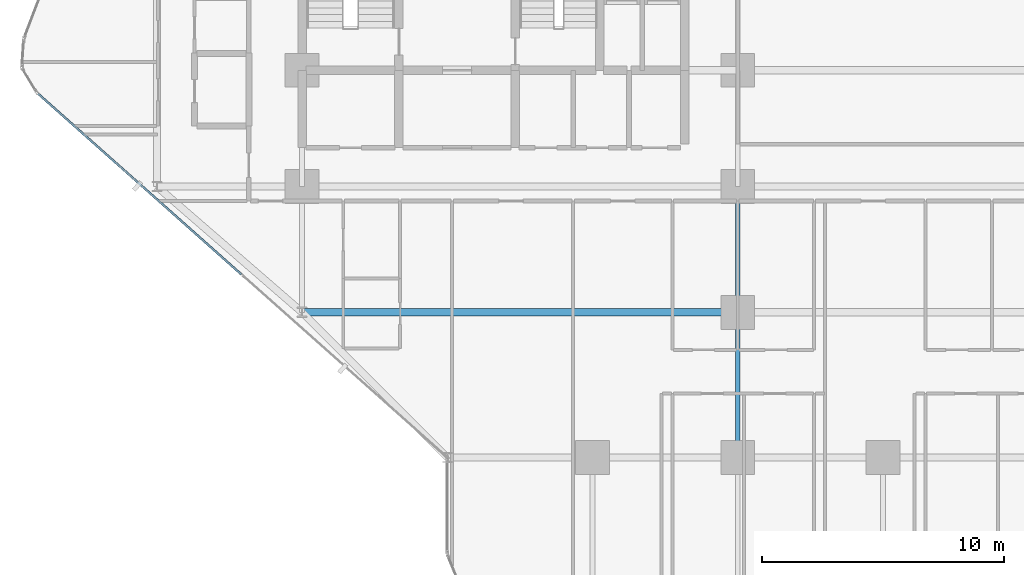
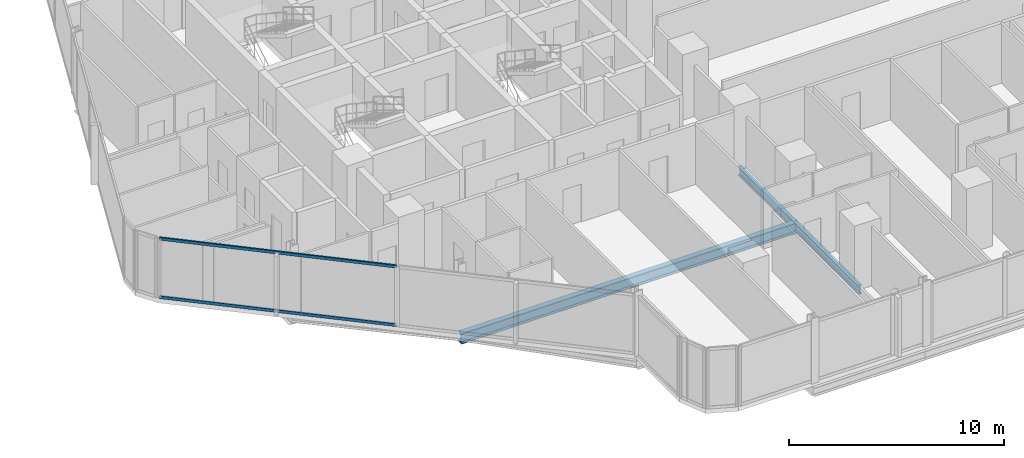
# One storey, part 4 of 34: 3 beams, 2 members, 1 element without a shape of its own.
"""IFC4 building model written with IfcOpenShell, lengths in metres."""

import ifcopenshell
import ifcopenshell.guid

model = None  # the IFC model being written
_history = None  # IfcOwnerHistory: only IFC2X3 demands one
_inside = {}  # id of a spatial element -> (the spatial element, [elements in it])
_under = {}  # id of a project, library or spatial element -> (it, [spatial elements below it])
_declared = {}  # id of a project -> (the project, [libraries it declares])
_typed = {}  # id of a type object -> (the type object, [elements of that type])
_made_of = {}  # id of a material, layer set ... -> (it, [elements and type objects made of it])


def new_model(schema):
    """Start an empty IFC model of exactly this schema.

    Asked for "IFC4X3", IfcOpenShell would pick the latest addendum, in which some entities
    have other attributes; the version numbers below select the first issue.
    IFC2X3 requires an IfcOwnerHistory on every rooted entity: one is made here for all.
    """
    global model, _history
    if schema == "IFC4X3":
        model = ifcopenshell.file(schema_version=(4, 3, 0, 0))
    else:
        model = ifcopenshell.file(schema=schema)
    _inside.clear()
    _under.clear()
    _declared.clear()
    _typed.clear()
    _made_of.clear()
    _history = None
    if model.schema == "IFC2X3":
        org = make("IfcOrganization", Name="unknown")
        user = make(
            "IfcPersonAndOrganization",
            ThePerson=make("IfcPerson", FamilyName="unknown"),
            TheOrganization=org,
        )
        app = make(
            "IfcApplication",
            ApplicationDeveloper=org,
            Version="unknown",
            ApplicationFullName="unknown",
            ApplicationIdentifier="unknown",
        )
        _history = make(
            "IfcOwnerHistory",
            OwningUser=user,
            OwningApplication=app,
            ChangeAction="ADDED",
            CreationDate=0,
        )
    return model


def make(cls, **values):
    """One entity of the class cls with the attributes given. An attribute that is None is left unset."""
    return model.create_entity(
        cls, **{name: value for name, value in values.items() if value is not None}
    )


def rooted(cls, **values):
    """An entity with a GlobalId (a new one), such as an element, a storey or a relation."""
    return make(cls, GlobalId=ifcopenshell.guid.new(), OwnerHistory=_history, **values)


def si_unit(unit_type, name, prefix=None):
    """IfcSIUnit, for example si_unit("LENGTHUNIT", "METRE", prefix="MILLI")."""
    return make("IfcSIUnit", UnitType=unit_type, Prefix=prefix, Name=name)


def assignment(units):
    """IfcUnitAssignment: the units of a project."""
    return None if units is None else make("IfcUnitAssignment", Units=units)


def point(xyz):
    """IfcCartesianPoint."""
    return None if xyz is None else make("IfcCartesianPoint", Coordinates=xyz)


def direction(xyz):
    """IfcDirection."""
    return None if xyz is None else make("IfcDirection", DirectionRatios=xyz)


def frame(location, z_axis=None, x_axis=None):
    """IfcAxis2Placement3D, a coordinate frame: its origin and axes. An axis left out is left unset."""
    return make(
        "IfcAxis2Placement3D",
        Location=point(location),
        Axis=direction(z_axis),
        RefDirection=direction(x_axis),
    )


def frame_2d(location, x_axis=None):
    """IfcAxis2Placement2D, a coordinate frame in the plane: its origin and x axis."""
    return make(
        "IfcAxis2Placement2D", Location=point(location), RefDirection=direction(x_axis)
    )


def origin():
    """The frame at (0, 0, 0) with its axes left unset."""
    return frame((0.0, 0.0, 0.0))


def origin_2d():
    """The frame at (0, 0) in the plane with its x axis left unset."""
    return frame_2d((0.0, 0.0))


def place(relative_to, where):
    """IfcLocalPlacement: puts the frame where relative to a parent placement (None: the world)."""
    return make(
        "IfcLocalPlacement", PlacementRelTo=relative_to, RelativePlacement=where
    )


def context(
    kind, dimensions, precision=None, world=None, true_north=None, identifier=None
):
    """IfcGeometricRepresentationContext, for example the 3D "Model" context."""
    return make(
        "IfcGeometricRepresentationContext",
        ContextIdentifier=identifier,
        ContextType=kind,
        CoordinateSpaceDimension=dimensions,
        Precision=precision,
        WorldCoordinateSystem=world,
        TrueNorth=true_north,
    )


def subcontext(parent, identifier, kind, view, scale=None):
    """IfcGeometricRepresentationSubContext, for example "Body" below "Model"."""
    return make(
        "IfcGeometricRepresentationSubContext",
        ContextIdentifier=identifier,
        ContextType=kind,
        ParentContext=parent,
        TargetScale=scale,
        TargetView=view,
    )


def project(units=None, contexts=None):
    """IfcProject with its units and contexts."""
    return rooted(
        "IfcProject",
        Name="project",
        RepresentationContexts=contexts,
        UnitsInContext=assignment(units),
    )


def spatial(cls, under=None, at=None, **own):
    """A site, building, storey or space (cls), placed at a placement, below another one or the project."""
    s = rooted(cls, ObjectPlacement=at, **own)
    if under is not None:
        _under.setdefault(under.id(), (under, []))[1].append(s)
    return s


def profile(cls, at=None, kind="AREA", **sizes):
    """A parametric profile (cls). Its sizes go by their IFC names, for example OverallWidth=200.0."""
    return make(cls, ProfileType=kind, Position=at, **sizes)


def hollow_rectangle(**sizes):
    """IfcRectangleHollowProfileDef."""
    return profile("IfcRectangleHollowProfileDef", **sizes)


def i_section(**sizes):
    """IfcIShapeProfileDef."""
    return profile("IfcIShapeProfileDef", **sizes)


def extrude(swept, where, along, depth):
    """IfcExtrudedAreaSolid: the profile swept, set in the frame where, extruded along a direction by depth."""
    return make(
        "IfcExtrudedAreaSolid",
        SweptArea=swept,
        Position=where,
        ExtrudedDirection=direction(along),
        Depth=depth,
    )


def shape(context_of_items, identifier, shape_type, items):
    """IfcShapeRepresentation: the items that make up one representation, for example the "Body"."""
    return make(
        "IfcShapeRepresentation",
        ContextOfItems=context_of_items,
        RepresentationIdentifier=identifier,
        RepresentationType=shape_type,
        Items=items,
    )


def material(Name=None, Category=None):
    """IfcMaterial."""
    return make("IfcMaterial", Name=Name, Category=Category)


def layer(
    of_material, thickness, ventilated=None, Name=None, Category=None, Priority=None
):
    """IfcMaterialLayer: one layer of a wall or slab, of a material (None: an air gap)."""
    return make(
        "IfcMaterialLayer",
        Material=of_material,
        LayerThickness=thickness,
        IsVentilated=ventilated,
        Name=Name,
        Category=Category,
        Priority=Priority,
    )


def layer_set(layers, Name=None):
    """IfcMaterialLayerSet."""
    return make("IfcMaterialLayerSet", MaterialLayers=layers, LayerSetName=Name)


def material_profile(
    of_material, cross_section, Name=None, Category=None, Priority=None
):
    """IfcMaterialProfile: a cross section and its material."""
    return make(
        "IfcMaterialProfile",
        Name=Name,
        Material=of_material,
        Profile=cross_section,
        Priority=Priority,
        Category=Category,
    )


def profile_set(profiles, Name=None, composite=None):
    """IfcMaterialProfileSet."""
    return make(
        "IfcMaterialProfileSet",
        Name=Name,
        MaterialProfiles=profiles,
        CompositeProfile=composite,
    )


def made_of(thing, what):
    """Note that an element or type object is made of a material, layer set ...; save() writes the relation."""
    if what is not None:
        _made_of.setdefault(what.id(), (what, []))[1].append(thing)
    return thing


def type_object(cls, material=None, **own):
    """A type object (cls), such as IfcWallType, which elements share."""
    return made_of(rooted(cls, **own), material)


def element(
    cls,
    number,
    at=None,
    inside=None,
    cuts=None,
    type_object=None,
    material=None,
    context=None,
    identifier="Body",
    shape_type=None,
    held_by="IfcProductDefinitionShape",
    body=None,
    shapes=None,
    **own,
):
    """One element of the class cls, such as IfcWall. Its Tag is "e" and its number.

    at: its placement. inside: the storey or other place that contains it. cuts: it is an
    opening in that element (IfcRelVoidsElement). A single representation is given by context,
    identifier, shape_type and body (its items); several are given by shapes. held_by: the class
    of the entity that holds the representations. save() writes the other relations.
    """
    e = rooted(cls, Tag="e%d" % number, ObjectPlacement=at, **own)
    if body is not None:
        shapes = [shape(context, identifier, shape_type, body)]
    if shapes is not None:
        e.Representation = make(held_by, Representations=shapes)
    if inside is not None:
        _inside.setdefault(inside.id(), (inside, []))[1].append(e)
    if cuts is not None:
        rooted(
            "IfcRelVoidsElement", RelatingBuildingElement=cuts, RelatedOpeningElement=e
        )
    if type_object is not None:
        _typed.setdefault(type_object.id(), (type_object, []))[1].append(e)
    return made_of(e, material)


def aggregate(whole, parts):
    """IfcRelAggregates: a whole, such as a stair, and the parts it consists of."""
    return rooted("IfcRelAggregates", RelatingObject=whole, RelatedObjects=parts)


def save(model, path):
    """Write the relations noted so far, then the file.

    IfcRelAggregates (storeys below a building ...), IfcRelContainedInSpatialStructure (elements
    in a storey), IfcRelDefinesByType, IfcRelAssociatesMaterial and IfcRelDeclares: one each for
    every whole, place, type object, material and project.
    """
    for whole, parts in _under.values():
        aggregate(whole, parts)
    for where, things in _inside.values():
        rooted(
            "IfcRelContainedInSpatialStructure",
            RelatedElements=things,
            RelatingStructure=where,
        )
    for kind, things in _typed.values():
        rooted("IfcRelDefinesByType", RelatedObjects=things, RelatingType=kind)
    for what, things in _made_of.values():
        rooted("IfcRelAssociatesMaterial", RelatedObjects=things, RelatingMaterial=what)
    for by, libraries in _declared.values():
        rooted("IfcRelDeclares", RelatingContext=by, RelatedDefinitions=libraries)
    model.write(path)


model = new_model("IFC4")

# Units and contexts
model_context = context("Model", 3, precision=1e-05, world=origin(), true_north=direction((0.0, 1.0)))
body_context = subcontext(model_context, "Body", "Model", "MODEL_VIEW")
ifc_project = project(units=[si_unit("LENGTHUNIT", "METRE"), si_unit("AREAUNIT", "SQUARE_METRE"), si_unit("VOLUMEUNIT", "CUBIC_METRE"), si_unit("PLANEANGLEUNIT", "RADIAN"), si_unit("MASSUNIT", "GRAM", prefix="KILO")], contexts=[model_context])

# Site, building, storey
site_placement = place(None, origin())
site = spatial("IfcSite", under=ifc_project, at=site_placement, CompositionType="ELEMENT")
building_placement = place(site_placement, origin())
building = spatial("IfcBuilding", under=site, at=building_placement, Name="Keshet Zoharim Tower", CompositionType="ELEMENT")
storey_placement = place(building_placement, frame((0.0, 0.0, 38.800048828125)))
storey = spatial("IfcBuildingStorey", under=building, at=storey_placement, Name="L08", CompositionType="ELEMENT", Elevation=38.800048828125)

# Beams
ifc_material_1 = material(Name="Steel S355", Category="steel")
ifc_material_profile_1 = material_profile(ifc_material_1, i_section(OverallWidth=0.300048828125, OverallDepth=0.60009765625, WebThickness=0.015380859375, FlangeThickness=0.030029296875, FilletRadius=0.027099609375, at=origin_2d()), Name="HEB600")
ifc_profile_set_1 = profile_set([ifc_material_profile_1], Name="Steel S355")
beam_type_1 = type_object("IfcBeamType", Name="BM-LNG-HB600", PredefinedType="BEAM", material=ifc_profile_set_1)
beam_1_placement = place(storey_placement, frame((15.0, 12.699951171875, -0.614990234375), z_axis=(1.0, 0.0, 0.0), x_axis=(0.0, 1.0, 0.0)))
element("IfcBeam", 1, at=beam_1_placement, inside=storey, type_object=beam_type_1, Name="L08 Primary Girder X-011", PredefinedType="BEAM", context=body_context, shape_type="SweptSolid", body=[
    extrude(i_section(OverallWidth=0.300048828125, OverallDepth=0.60009765625, WebThickness=0.015380859375, FlangeThickness=0.030029296875, FilletRadius=0.027099609375, at=origin_2d()), origin(), (0.0, 0.0, 1.0), 18.0),
])
ifc_material_profile_2 = material_profile(ifc_material_1, i_section(OverallWidth=0.199951171875, OverallDepth=0.5, WebThickness=0.01025390625, FlangeThickness=0.01611328125, FilletRadius=0.02099609375, at=origin_2d()), Name="IPE500")
ifc_profile_set_2 = profile_set([ifc_material_profile_2], Name="Steel S355")
beam_type_2 = type_object("IfcBeamType", Name="BM-PRI-IP500", PredefinedType="BEAM", material=ifc_profile_set_2)
beam_2_placement = place(storey_placement, frame((33.0, 6.699951171875, -0.56494140625), z_axis=(0.0, 1.0, 0.0), x_axis=(-1.0, 0.0, 0.0)))
element("IfcBeam", 2, at=beam_2_placement, inside=storey, type_object=beam_type_2, Name="L08 Primary Girder Y-006", PredefinedType="BEAM", context=body_context, shape_type="SweptSolid", body=[
    extrude(i_section(OverallWidth=0.199951171875, OverallDepth=0.5, WebThickness=0.01025390625, FlangeThickness=0.01611328125, FilletRadius=0.02099609375, at=origin_2d()), origin(), (0.0, 0.0, 1.0), 6.0),
])
beam_3_placement = place(storey_placement, frame((33.0, 12.699951171875, -0.56494140625), z_axis=(0.0, 1.0, 0.0), x_axis=(-1.0, 0.0, 0.0)))
element("IfcBeam", 3, at=beam_3_placement, inside=storey, type_object=beam_type_2, Name="L08 Primary Girder Y-007", PredefinedType="BEAM", context=body_context, shape_type="SweptSolid", body=[
    extrude(i_section(OverallWidth=0.199951171875, OverallDepth=0.5, WebThickness=0.01025390625, FlangeThickness=0.01611328125, FilletRadius=0.02099609375, at=origin_2d()), origin(), (0.0, 0.0, 1.0), 5.199951171875),
])

# Curtain wall, members
ifc_material_2 = material(Name="Aluminium 6063-T6", Category="aluminium")
ifc_layer = layer(ifc_material_2, 0.179931640625)
ifc_layer_set = layer_set([ifc_layer], Name="Aluminium 6063-T6")
curtain_wall_type = type_object("IfcCurtainWallType", Name="CW-SYS-01", PredefinedType="NOTDEFINED", material=ifc_layer_set)
curtain_wall_placement = place(storey_placement, origin())
curtain_wall = element("IfcCurtainWall", 4, at=curtain_wall_placement, inside=storey, type_object=curtain_wall_type, Name="L08 Unitised Curtain Wall 01", PredefinedType="NOTDEFINED")
ifc_material_profile_3 = material_profile(ifc_material_2, hollow_rectangle(XDim=0.0849609375, YDim=0.159912109375, WallThickness=0.00439453125, at=origin_2d()), Name="TRN-85x160")
ifc_profile_set_3 = profile_set([ifc_material_profile_3], Name="Aluminium 6063-T6")
member_type = type_object("IfcMemberType", Name="CWT-T16", PredefinedType="USERDEFINED", material=ifc_profile_set_3)
member_1_placement = place(storey_placement, frame((12.491455078125, 14.26318359375, 0.034912109375), z_axis=(-0.747411714548, 0.664361143472, 0.0), x_axis=(-0.664361143472, -0.747411714548, 0.0)))
member_1 = element("IfcMember", 5, at=member_1_placement, type_object=member_type, Name="CW-01 transom 2.1", ObjectType="TRANSOM", PredefinedType="USERDEFINED", context=body_context, shape_type="SweptSolid", body=[
    extrude(hollow_rectangle(XDim=0.0849609375, YDim=0.159912109375, WallThickness=0.00439453125, at=origin_2d()), origin(), (0.0, 0.0, 1.0), 11.244140625),
])
member_2_placement = place(storey_placement, frame((12.491455078125, 14.26318359375, 3.349853515625), z_axis=(-0.747411714548, 0.664361143472, 0.0), x_axis=(-0.664361143472, -0.747411714548, 0.0)))
member_2 = element("IfcMember", 6, at=member_2_placement, type_object=member_type, Name="CW-01 transom 2.2", ObjectType="TRANSOM", PredefinedType="USERDEFINED", context=body_context, shape_type="SweptSolid", body=[
    extrude(hollow_rectangle(XDim=0.0849609375, YDim=0.159912109375, WallThickness=0.00439453125, at=origin_2d()), origin(), (0.0, 0.0, 1.0), 11.244140625),
])
aggregate(curtain_wall, [member_1, member_2])

save(model, "model.ifc")
